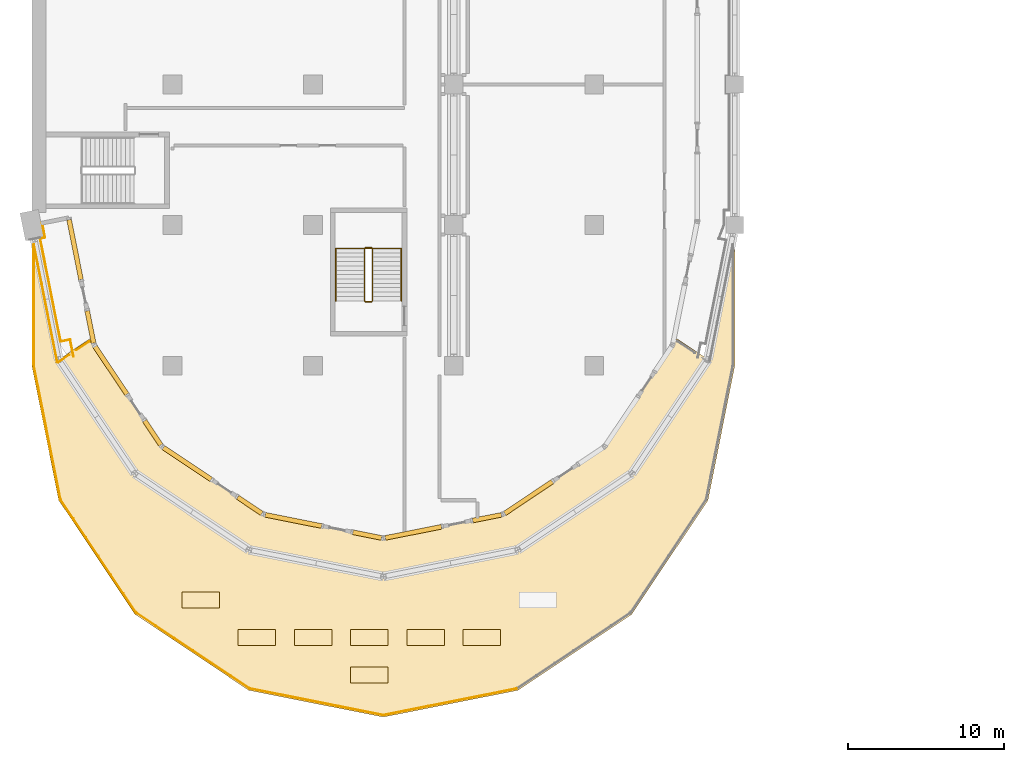
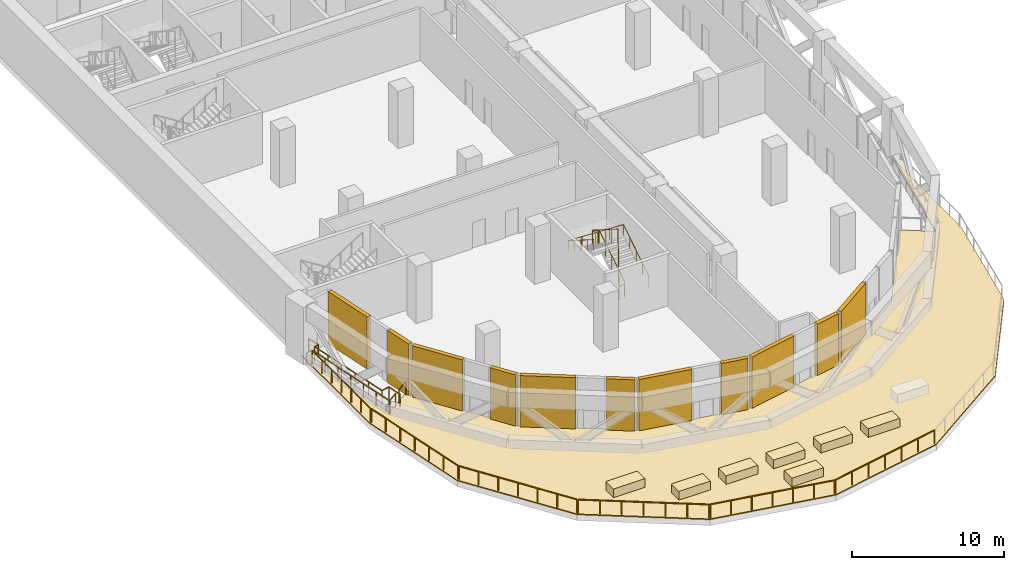
# One storey, part 16 of 20: 12 railings, 11 shading devices, 8 coverings.
"""IFC4 building model written with IfcOpenShell, lengths in metres."""

from ifc_helpers import new_model, si_unit, direction, frame, origin, origin_2d, place, context, subcontext, project, spatial, polyline, rectangle, circle, outline, extrude, material, layer, layer_set, type_object, element, save


model = new_model("IFC4")

# Units and contexts
model_context = context("Model", 3, precision=1e-05, world=origin(), true_north=direction((0.0, 1.0)))
body_context = subcontext(model_context, "Body", "Model", "MODEL_VIEW")
ifc_project = project(units=[si_unit("LENGTHUNIT", "METRE"), si_unit("AREAUNIT", "SQUARE_METRE"), si_unit("VOLUMEUNIT", "CUBIC_METRE"), si_unit("PLANEANGLEUNIT", "RADIAN"), si_unit("MASSUNIT", "GRAM", prefix="KILO")], contexts=[model_context])

# Site, building, storey
site_placement = place(None, origin())
site = spatial("IfcSite", under=ifc_project, at=site_placement, CompositionType="ELEMENT")
building_placement = place(site_placement, origin())
building = spatial("IfcBuilding", under=site, at=building_placement, Name="Hunhe Ridgeline Campus", CompositionType="ELEMENT")
storey_placement = place(building_placement, frame((0.0, 0.0, 178.199951171875)))
storey = spatial("IfcBuildingStorey", under=building, at=storey_placement, Name="L45", CompositionType="ELEMENT", Elevation=178.199951171875)

# Railings
ifc_material_1 = material(Name="Steel Q355", Category="steel")
railing_type_1 = type_object("IfcRailingType", Name="Loggia guard 1100 Steel Q355", PredefinedType="GUARDRAIL", material=ifc_material_1)
railing_1_placement = place(storey_placement, frame((0.6572265625, 36.130615234375, 0.0)))
element("IfcRailing", 1, at=railing_1_placement, inside=storey, type_object=railing_type_1, Name="Loggia guard 1", PredefinedType="GUARDRAIL", context=body_context, shape_type="SweptSolid", body=[
    extrude(circle(Radius=0.02392578125, at=origin_2d()), frame((0.0, 0.0, 1.076171875), z_axis=(0.195078060519, -0.980787719287, 0.0), x_axis=(0.980787719287, 0.195078060519, 0.0)), (0.0, 0.0, 1.0), 0.949951171875),
    extrude(circle(Radius=0.02392578125, at=origin_2d()), frame((0.185302734375, -0.931640625, 1.076171875), z_axis=(-0.980756274917, -0.195236085831, 0.0), x_axis=(0.195236085831, -0.980756274917, 0.0)), (0.0, 0.0, 1.0), 0.320068359375),
    extrude(circle(Radius=0.02392578125, at=origin_2d()), frame((-0.128662109375, -0.994140625, 1.076171875), z_axis=(0.195081688297, -0.980786997717, 0.0), x_axis=(0.980786997717, 0.195081688297, 0.0)), (0.0, 0.0, 1.0), 6.718017578125),
    extrude(circle(Radius=0.02392578125, at=origin_2d()), frame((1.181884765625, -7.5830078125, 1.076171875), z_axis=(0.980747227858, 0.195281527671, 0.0), x_axis=(-0.195281527671, 0.980747227858, 0.0)), (0.0, 0.0, 1.0), 0.618896484375),
    extrude(circle(Radius=0.02392578125, at=origin_2d()), frame((1.788818359375, -7.462158203125, 1.076171875), z_axis=(0.195101986683, -0.980782960085, 0.0), x_axis=(0.980782960085, 0.195101986683, 0.0)), (0.0, 0.0, 1.0), 1.111083984375),
    extrude(circle(Radius=0.02099609375, at=origin_2d()), origin(), (0.0, 0.0, 1.0), 1.052001953125),
    extrude(circle(Radius=0.02099609375, at=origin_2d()), frame((0.185302734375, -0.931640625, 0.0)), (0.0, 0.0, 1.0), 1.052001953125),
    extrude(circle(Radius=0.02099609375, at=origin_2d()), frame((-0.128662109375, -0.994140625, 0.0)), (0.0, 0.0, 1.0), 1.052001953125),
    extrude(circle(Radius=0.02099609375, at=origin_2d()), frame((0.133544921875, -2.31201171875, 0.0)), (0.0, 0.0, 1.0), 1.052001953125),
    extrude(circle(Radius=0.02099609375, at=origin_2d()), frame((0.3955078125, -3.629638671875, 0.0)), (0.0, 0.0, 1.0), 1.052001953125),
    extrude(circle(Radius=0.02099609375, at=origin_2d()), frame((0.65771484375, -4.947509765625, 0.0)), (0.0, 0.0, 1.0), 1.052001953125),
    extrude(circle(Radius=0.02099609375, at=origin_2d()), frame((0.919677734375, -6.26513671875, 0.0)), (0.0, 0.0, 1.0), 1.052001953125),
    extrude(circle(Radius=0.02099609375, at=origin_2d()), frame((1.181884765625, -7.5830078125, 0.0)), (0.0, 0.0, 1.0), 1.052001953125),
    extrude(circle(Radius=0.02099609375, at=origin_2d()), frame((1.788818359375, -7.462158203125, 0.0)), (0.0, 0.0, 1.0), 1.052001953125),
    extrude(circle(Radius=0.02099609375, at=origin_2d()), frame((2.005615234375, -8.552001953125, 0.0)), (0.0, 0.0, 1.0), 1.052001953125),
])
railing_2_placement = place(storey_placement, frame((31.0244140625, 6.31787109375, 0.080078125)))
element("IfcRailing", 2, at=railing_2_placement, inside=storey, type_object=railing_type_1, Name="Terrace guard 15", PredefinedType="GUARDRAIL", context=body_context, shape_type="SweptSolid", body=[
    extrude(circle(Radius=0.02392578125, at=origin_2d()), frame((0.0, 0.0, 1.076171875), z_axis=(-0.980786356694, -0.195084911058, 0.0), x_axis=(0.195084911058, -0.980786356694, 0.0)), (0.0, 0.0, 1.0), 8.6513671875),
    extrude(circle(Radius=0.02099609375, at=origin_2d()), origin(), (0.0, 0.0, 1.0), 1.052001953125),
    extrude(circle(Radius=0.02099609375, at=origin_2d()), frame((-1.4140625, -0.28125, 0.0)), (0.0, 0.0, 1.0), 1.052001953125),
    extrude(circle(Radius=0.02099609375, at=origin_2d()), frame((-2.828369140625, -0.5625, 0.0)), (0.0, 0.0, 1.0), 1.052001953125),
    extrude(circle(Radius=0.02099609375, at=origin_2d()), frame((-4.24267578125, -0.84375, 0.0)), (0.0, 0.0, 1.0), 1.052001953125),
    extrude(circle(Radius=0.02099609375, at=origin_2d()), frame((-5.65673828125, -1.125244140625, 0.0)), (0.0, 0.0, 1.0), 1.052001953125),
    extrude(circle(Radius=0.02099609375, at=origin_2d()), frame((-7.07080078125, -1.406494140625, 0.0)), (0.0, 0.0, 1.0), 1.052001953125),
    extrude(circle(Radius=0.02099609375, at=origin_2d()), frame((-8.485107421875, -1.687744140625, 0.0)), (0.0, 0.0, 1.0), 1.052001953125),
])
railing_3_placement = place(storey_placement, frame((22.460693359375, 4.630126953125, 0.080078125)))
element("IfcRailing", 3, at=railing_3_placement, inside=storey, type_object=railing_type_1, Name="Terrace guard 16", PredefinedType="GUARDRAIL", context=body_context, shape_type="SweptSolid", body=[
    extrude(circle(Radius=0.02392578125, at=origin_2d()), frame((0.0, 0.0, 1.076171875), z_axis=(-0.980786356694, 0.195084911058, 0.0), x_axis=(-0.195084911058, -0.980786356694, 0.0)), (0.0, 0.0, 1.0), 8.6513671875),
    extrude(circle(Radius=0.02099609375, at=origin_2d()), origin(), (0.0, 0.0, 1.0), 1.052001953125),
    extrude(circle(Radius=0.02099609375, at=origin_2d()), frame((-1.4140625, 0.28125, 0.0)), (0.0, 0.0, 1.0), 1.052001953125),
    extrude(circle(Radius=0.02099609375, at=origin_2d()), frame((-2.828369140625, 0.5625, 0.0)), (0.0, 0.0, 1.0), 1.052001953125),
    extrude(circle(Radius=0.02099609375, at=origin_2d()), frame((-4.24267578125, 0.84375, 0.0)), (0.0, 0.0, 1.0), 1.052001953125),
    extrude(circle(Radius=0.02099609375, at=origin_2d()), frame((-5.65673828125, 1.125244140625, 0.0)), (0.0, 0.0, 1.0), 1.052001953125),
    extrude(circle(Radius=0.02099609375, at=origin_2d()), frame((-7.07080078125, 1.406494140625, 0.0)), (0.0, 0.0, 1.0), 1.052001953125),
    extrude(circle(Radius=0.02099609375, at=origin_2d()), frame((-8.485107421875, 1.687744140625, 0.0)), (0.0, 0.0, 1.0), 1.052001953125),
])
railing_4_placement = place(storey_placement, frame((13.903076171875, 6.347900390625, 0.080078125)))
element("IfcRailing", 4, at=railing_4_placement, inside=storey, type_object=railing_type_1, Name="Terrace guard 17", PredefinedType="GUARDRAIL", context=body_context, shape_type="SweptSolid", body=[
    extrude(circle(Radius=0.02392578125, at=origin_2d()), frame((0.0, 0.0, 1.076171875), z_axis=(-0.831463709573, 0.555579066977, 0.0), x_axis=(-0.555579066977, -0.831463709573, 0.0)), (0.0, 0.0, 1.0), 8.651123046875),
    extrude(circle(Radius=0.02099609375, at=origin_2d()), origin(), (0.0, 0.0, 1.0), 1.052001953125),
    extrude(circle(Radius=0.02099609375, at=origin_2d()), frame((-1.19873046875, 0.801025390625, 0.0)), (0.0, 0.0, 1.0), 1.052001953125),
    extrude(circle(Radius=0.02099609375, at=origin_2d()), frame((-2.397705078125, 1.60205078125, 0.0)), (0.0, 0.0, 1.0), 1.052001953125),
    extrude(circle(Radius=0.02099609375, at=origin_2d()), frame((-3.5966796875, 2.4033203125, 0.0)), (0.0, 0.0, 1.0), 1.052001953125),
    extrude(circle(Radius=0.02099609375, at=origin_2d()), frame((-4.79541015625, 3.204345703125, 0.0)), (0.0, 0.0, 1.0), 1.052001953125),
    extrude(circle(Radius=0.02099609375, at=origin_2d()), frame((-5.994140625, 4.00537109375, 0.0)), (0.0, 0.0, 1.0), 1.052001953125),
    extrude(circle(Radius=0.02099609375, at=origin_2d()), frame((-7.193115234375, 4.806396484375, 0.0)), (0.0, 0.0, 1.0), 1.052001953125),
])
railing_5_placement = place(storey_placement, frame((6.654296875, 11.2099609375, 0.080078125)))
element("IfcRailing", 5, at=railing_5_placement, inside=storey, type_object=railing_type_1, Name="Terrace guard 18", PredefinedType="GUARDRAIL", context=body_context, shape_type="SweptSolid", body=[
    extrude(circle(Radius=0.02392578125, at=origin_2d()), frame((0.0, 0.0, 1.076171875), z_axis=(-0.555579066977, 0.831463709573, 0.0), x_axis=(-0.831463709573, -0.555579066977, 0.0)), (0.0, 0.0, 1.0), 8.651123046875),
    extrude(circle(Radius=0.02099609375, at=origin_2d()), origin(), (0.0, 0.0, 1.0), 1.052001953125),
    extrude(circle(Radius=0.02099609375, at=origin_2d()), frame((-0.801025390625, 1.19873046875, 0.0)), (0.0, 0.0, 1.0), 1.052001953125),
    extrude(circle(Radius=0.02099609375, at=origin_2d()), frame((-1.60205078125, 2.397705078125, 0.0)), (0.0, 0.0, 1.0), 1.052001953125),
    extrude(circle(Radius=0.02099609375, at=origin_2d()), frame((-2.4033203125, 3.5966796875, 0.0)), (0.0, 0.0, 1.0), 1.052001953125),
    extrude(circle(Radius=0.02099609375, at=origin_2d()), frame((-3.204345703125, 4.79541015625, 0.0)), (0.0, 0.0, 1.0), 1.052001953125),
    extrude(circle(Radius=0.02099609375, at=origin_2d()), frame((-4.00537109375, 5.994140625, 0.0)), (0.0, 0.0, 1.0), 1.052001953125),
    extrude(circle(Radius=0.02099609375, at=origin_2d()), frame((-4.806396484375, 7.193115234375, 0.0)), (0.0, 0.0, 1.0), 1.052001953125),
])
railing_6_placement = place(storey_placement, frame((1.81787109375, 18.4755859375, 0.080078125)))
element("IfcRailing", 6, at=railing_6_placement, inside=storey, type_object=railing_type_1, Name="Terrace guard 19", PredefinedType="GUARDRAIL", context=body_context, shape_type="SweptSolid", body=[
    extrude(circle(Radius=0.02392578125, at=origin_2d()), frame((0.0, 0.0, 1.076171875), z_axis=(-0.195091784902, 0.980784989416, 0.0), x_axis=(-0.980784989416, -0.195091784902, 0.0)), (0.0, 0.0, 1.0), 8.66357421875),
    extrude(circle(Radius=0.02099609375, at=origin_2d()), origin(), (0.0, 0.0, 1.0), 1.052001953125),
    extrude(circle(Radius=0.02099609375, at=origin_2d()), frame((-0.28173828125, 1.416259765625, 0.0)), (0.0, 0.0, 1.0), 1.052001953125),
    extrude(circle(Radius=0.02099609375, at=origin_2d()), frame((-0.5634765625, 2.832275390625, 0.0)), (0.0, 0.0, 1.0), 1.052001953125),
    extrude(circle(Radius=0.02099609375, at=origin_2d()), frame((-0.84521484375, 4.24853515625, 0.0)), (0.0, 0.0, 1.0), 1.052001953125),
    extrude(circle(Radius=0.02099609375, at=origin_2d()), frame((-1.126708984375, 5.664794921875, 0.0)), (0.0, 0.0, 1.0), 1.052001953125),
    extrude(circle(Radius=0.02099609375, at=origin_2d()), frame((-1.408447265625, 7.080810546875, 0.0)), (0.0, 0.0, 1.0), 1.052001953125),
    extrude(circle(Radius=0.02099609375, at=origin_2d()), frame((-1.690185546875, 8.4970703125, 0.0)), (0.0, 0.0, 1.0), 1.052001953125),
])
railing_7_placement = place(storey_placement, frame((0.1201171875, 27.0517578125, 0.080078125)))
element("IfcRailing", 7, at=railing_7_placement, inside=storey, type_object=railing_type_1, Name="Terrace guard 20", PredefinedType="GUARDRAIL", context=body_context, shape_type="SweptSolid", body=[
    extrude(circle(Radius=0.02392578125, at=origin_2d()), frame((0.0, 0.0, 1.076171875), z_axis=(0.0, 1.0, 0.0), x_axis=(-1.0, 0.0, 0.0)), (0.0, 0.0, 1.0), 7.68994140625),
    extrude(circle(Radius=0.02099609375, at=origin_2d()), origin(), (0.0, 0.0, 1.0), 1.052001953125),
    extrude(circle(Radius=0.02099609375, at=origin_2d()), frame((0.0, 1.28173828125, 0.0)), (0.0, 0.0, 1.0), 1.052001953125),
    extrude(circle(Radius=0.02099609375, at=origin_2d()), frame((0.0, 2.563232421875, 0.0)), (0.0, 0.0, 1.0), 1.052001953125),
    extrude(circle(Radius=0.02099609375, at=origin_2d()), frame((0.0, 3.844970703125, 0.0)), (0.0, 0.0, 1.0), 1.052001953125),
    extrude(circle(Radius=0.02099609375, at=origin_2d()), frame((0.0, 5.126708984375, 0.0)), (0.0, 0.0, 1.0), 1.052001953125),
    extrude(circle(Radius=0.02099609375, at=origin_2d()), frame((0.0, 6.408203125, 0.0)), (0.0, 0.0, 1.0), 1.052001953125),
    extrude(circle(Radius=0.02099609375, at=origin_2d()), frame((0.0, 7.68994140625, 0.0)), (0.0, 0.0, 1.0), 1.052001953125),
])
railing_8_placement = place(storey_placement, frame((0.127685546875, 34.74267578125, 0.080078125)))
element("IfcRailing", 8, at=railing_8_placement, inside=storey, type_object=railing_type_1, Name="Terrace guard 21", PredefinedType="GUARDRAIL", context=body_context, shape_type="SweptSolid", body=[
    extrude(circle(Radius=0.02392578125, at=origin_2d()), frame((0.0, 0.0, 1.076171875), z_axis=(0.195129185157, -0.980777549243, 0.0), x_axis=(0.980777549243, 0.195129185157, 0.0)), (0.0, 0.0, 1.0), 7.65966796875),
    extrude(circle(Radius=0.02099609375, at=origin_2d()), origin(), (0.0, 0.0, 1.0), 1.052001953125),
    extrude(circle(Radius=0.02099609375, at=origin_2d()), frame((0.2490234375, -1.251953125, 0.0)), (0.0, 0.0, 1.0), 1.052001953125),
    extrude(circle(Radius=0.02099609375, at=origin_2d()), frame((0.498291015625, -2.504150390625, 0.0)), (0.0, 0.0, 1.0), 1.052001953125),
    extrude(circle(Radius=0.02099609375, at=origin_2d()), frame((0.747314453125, -3.75634765625, 0.0)), (0.0, 0.0, 1.0), 1.052001953125),
    extrude(circle(Radius=0.02099609375, at=origin_2d()), frame((0.996337890625, -5.00830078125, 0.0)), (0.0, 0.0, 1.0), 1.052001953125),
    extrude(circle(Radius=0.02099609375, at=origin_2d()), frame((1.24560546875, -6.26025390625, 0.0)), (0.0, 0.0, 1.0), 1.052001953125),
    extrude(circle(Radius=0.02099609375, at=origin_2d()), frame((1.49462890625, -7.512451171875, 0.0)), (0.0, 0.0, 1.0), 1.052001953125),
])
railing_9_placement = place(storey_placement, frame((1.663330078125, 27.213134765625, 0.080078125)))
element("IfcRailing", 9, at=railing_9_placement, inside=storey, type_object=railing_type_1, Name="Terrace guard 22", PredefinedType="GUARDRAIL", context=body_context, shape_type="SweptSolid", body=[
    extrude(circle(Radius=0.02392578125, at=origin_2d()), frame((0.0, 0.0, 1.076171875), z_axis=(0.831530425848, 0.555479208333, 0.0), x_axis=(-0.555479208333, 0.831530425848, 0.0)), (0.0, 0.0, 1.0), 0.86767578125),
    extrude(circle(Radius=0.02099609375, at=origin_2d()), origin(), (0.0, 0.0, 1.0), 1.052001953125),
    extrude(circle(Radius=0.02099609375, at=origin_2d()), frame((0.721435546875, 0.48193359375, 0.0)), (0.0, 0.0, 1.0), 1.052001953125),
])
railing_10_placement = place(storey_placement, frame((2.834716796875, 27.99560546875, 0.080078125)))
element("IfcRailing", 10, at=railing_10_placement, inside=storey, type_object=railing_type_1, Name="Terrace guard 23", PredefinedType="GUARDRAIL", context=body_context, shape_type="SweptSolid", body=[
    extrude(circle(Radius=0.02392578125, at=origin_2d()), frame((0.0, 0.0, 1.076171875), z_axis=(0.831640585008, 0.555314269012, 0.0), x_axis=(-0.555314269012, 0.831640585008, 0.0)), (0.0, 0.0, 1.0), 1.009033203125),
    extrude(circle(Radius=0.02099609375, at=origin_2d()), origin(), (0.0, 0.0, 1.0), 1.052001953125),
    extrude(circle(Radius=0.02099609375, at=origin_2d()), frame((0.839111328125, 0.560302734375, 0.0)), (0.0, 0.0, 1.0), 1.052001953125),
])

# Shading devices
ifc_material_2 = material(Name="Aluminium 6063", Category="aluminium")
ifc_layer_1 = layer(ifc_material_2, 0.300048828125)
ifc_layer_set_1 = layer_set([ifc_layer_1], Name="Louvre bank 300 Aluminium 6063")
shading_device_type = type_object("IfcShadingDeviceType", Name="Louvre bank 300 Aluminium 6063", PredefinedType="USERDEFINED", material=ifc_layer_set_1)
shading_device_1_placement = place(storey_placement, frame((2.759765625, 34.43310546875, 0.0), z_axis=(0.0, 0.0, 1.0), x_axis=(0.195095347137, -0.980784280831, 0.0)))
element("IfcShadingDevice", 11, at=shading_device_1_placement, inside=storey, type_object=shading_device_type, Name="Louvre bank 1", ObjectType="LOUVRE", PredefinedType="USERDEFINED", context=body_context, shape_type="SweptSolid", body=[
    extrude(rectangle(XDim=3.910888671875, YDim=0.300048828125, at=origin_2d()), origin(), (0.0, 0.0, 1.0), 4.199951171875),
])
shading_device_2_placement = place(storey_placement, frame((3.7451171875, 29.479248046875, 0.0), z_axis=(0.0, 0.0, 1.0), x_axis=(0.195095217605, -0.980784306597, 0.0)))
element("IfcShadingDevice", 12, at=shading_device_2_placement, inside=storey, type_object=shading_device_type, Name="Louvre bank 2", ObjectType="LOUVRE", PredefinedType="USERDEFINED", context=body_context, shape_type="SweptSolid", body=[
    extrude(rectangle(XDim=2.11083984375, YDim=0.300048828125, at=origin_2d()), origin(), (0.0, 0.0, 1.0), 4.199951171875),
])
shading_device_3_placement = place(storey_placement, frame((5.06103515625, 26.7001953125, 0.0), z_axis=(0.0, 0.0, 1.0), x_axis=(0.555570362959, -0.83146952548, 0.0)))
element("IfcShadingDevice", 13, at=shading_device_3_placement, inside=storey, type_object=shading_device_type, Name="Louvre bank 3", ObjectType="LOUVRE", PredefinedType="USERDEFINED", context=body_context, shape_type="SweptSolid", body=[
    extrude(rectangle(XDim=3.671875, YDim=0.300048828125, at=origin_2d()), origin(), (0.0, 0.0, 1.0), 4.199951171875),
])
shading_device_4_placement = place(storey_placement, frame((7.734375, 22.69921875, 0.0), z_axis=(0.0, 0.0, 1.0), x_axis=(0.555570217564, -0.831469622629, 0.0)))
element("IfcShadingDevice", 14, at=shading_device_4_placement, inside=storey, type_object=shading_device_type, Name="Louvre bank 4", ObjectType="LOUVRE", PredefinedType="USERDEFINED", context=body_context, shape_type="SweptSolid", body=[
    extrude(rectangle(XDim=1.871826171875, YDim=0.300048828125, at=origin_2d()), origin(), (0.0, 0.0, 1.0), 4.199951171875),
])
shading_device_5_placement = place(storey_placement, frame((9.947509765625, 20.734375, 0.0), z_axis=(0.0, 0.0, 1.0), x_axis=(0.83146952548, -0.555570362959, 0.0)))
element("IfcShadingDevice", 15, at=shading_device_5_placement, inside=storey, type_object=shading_device_type, Name="Louvre bank 5", ObjectType="LOUVRE", PredefinedType="USERDEFINED", context=body_context, shape_type="SweptSolid", body=[
    extrude(rectangle(XDim=3.671875, YDim=0.300048828125, at=origin_2d()), origin(), (0.0, 0.0, 1.0), 4.199951171875),
])
shading_device_6_placement = place(storey_placement, frame((13.948486328125, 18.06103515625, 0.0), z_axis=(0.0, 0.0, 1.0), x_axis=(0.831469622629, -0.555570217564, 0.0)))
element("IfcShadingDevice", 16, at=shading_device_6_placement, inside=storey, type_object=shading_device_type, Name="Louvre bank 6", ObjectType="LOUVRE", PredefinedType="USERDEFINED", context=body_context, shape_type="SweptSolid", body=[
    extrude(rectangle(XDim=1.871826171875, YDim=0.300048828125, at=origin_2d()), origin(), (0.0, 0.0, 1.0), 4.199951171875),
])
shading_device_7_placement = place(storey_placement, frame((16.744873046875, 17.0927734375, 0.0), z_axis=(0.0, 0.0, 1.0), x_axis=(0.980785250869, -0.195090470497, 0.0)))
element("IfcShadingDevice", 17, at=shading_device_7_placement, inside=storey, type_object=shading_device_type, Name="Louvre bank 7", ObjectType="LOUVRE", PredefinedType="USERDEFINED", context=body_context, shape_type="SweptSolid", body=[
    extrude(rectangle(XDim=3.671875, YDim=0.300048828125, at=origin_2d()), origin(), (0.0, 0.0, 1.0), 4.199951171875),
])
shading_device_8_placement = place(storey_placement, frame((21.46435546875, 16.154052734375, 0.0), z_axis=(0.0, 0.0, 1.0), x_axis=(0.980785272878, -0.195090359847, 0.0)))
element("IfcShadingDevice", 18, at=shading_device_8_placement, inside=storey, type_object=shading_device_type, Name="Louvre bank 8", ObjectType="LOUVRE", PredefinedType="USERDEFINED", context=body_context, shape_type="SweptSolid", body=[
    extrude(rectangle(XDim=1.871826171875, YDim=0.300048828125, at=origin_2d()), origin(), (0.0, 0.0, 1.0), 4.199951171875),
])
shading_device_9_placement = place(storey_placement, frame((24.41845703125, 16.32958984375, 0.0), z_axis=(0.0, 0.0, 1.0), x_axis=(0.980785299781, 0.195090224598, 0.0)))
element("IfcShadingDevice", 19, at=shading_device_9_placement, inside=storey, type_object=shading_device_type, Name="Louvre bank 9", ObjectType="LOUVRE", PredefinedType="USERDEFINED", context=body_context, shape_type="SweptSolid", body=[
    extrude(rectangle(XDim=3.671875, YDim=0.300048828125, at=origin_2d()), origin(), (0.0, 0.0, 1.0), 4.199951171875),
])
shading_device_10_placement = place(storey_placement, frame((29.137939453125, 17.268310546875, 0.0), z_axis=(0.0, 0.0, 1.0), x_axis=(0.980785272878, 0.195090359847, 0.0)))
element("IfcShadingDevice", 20, at=shading_device_10_placement, inside=storey, type_object=shading_device_type, Name="Louvre bank 10", ObjectType="LOUVRE", PredefinedType="USERDEFINED", context=body_context, shape_type="SweptSolid", body=[
    extrude(rectangle(XDim=1.871826171875, YDim=0.300048828125, at=origin_2d()), origin(), (0.0, 0.0, 1.0), 4.199951171875),
])
shading_device_11_placement = place(storey_placement, frame((31.7998046875, 18.56103515625, 0.0), z_axis=(0.0, 0.0, 1.0), x_axis=(0.831469643564, 0.555570186233, 0.0)))
element("IfcShadingDevice", 21, at=shading_device_11_placement, inside=storey, type_object=shading_device_type, Name="Louvre bank 11", ObjectType="LOUVRE", PredefinedType="USERDEFINED", context=body_context, shape_type="SweptSolid", body=[
    extrude(rectangle(XDim=3.671875, YDim=0.300048828125, at=origin_2d()), origin(), (0.0, 0.0, 1.0), 4.199951171875),
])

# Coverings
ifc_material_3 = material(Name="Planting soil")
covering_type_1 = type_object("IfcCoveringType", Name="Planter box 700 planting soil", PredefinedType="USERDEFINED", material=ifc_material_3)
covering_1_placement = place(storey_placement, frame((0.0, 0.0, 0.080078125)))
element("IfcCovering", 22, at=covering_1_placement, inside=storey, type_object=covering_type_1, Name="Planter 1", ObjectType="PLANTER", PredefinedType="USERDEFINED", context=body_context, shape_type="SweptSolid", body=[
    extrude(outline(polyline([(9.60009765625, 11.5), (12.0, 11.5), (12.0, 12.5), (9.60009765625, 12.5), (9.60009765625, 11.5)])), origin(), (0.0, 0.0, 1.0), 0.699951171875),
])
covering_2_placement = place(storey_placement, frame((0.0, 0.0, 0.080078125)))
element("IfcCovering", 23, at=covering_2_placement, inside=storey, type_object=covering_type_1, Name="Planter 2", ObjectType="PLANTER", PredefinedType="USERDEFINED", context=body_context, shape_type="SweptSolid", body=[
    extrude(outline(polyline([(13.199951171875, 9.10009765625), (15.60009765625, 9.10009765625), (15.60009765625, 10.10009765625), (13.199951171875, 10.10009765625), (13.199951171875, 9.10009765625)])), origin(), (0.0, 0.0, 1.0), 0.699951171875),
])
covering_3_placement = place(storey_placement, frame((0.0, 0.0, 0.080078125)))
element("IfcCovering", 24, at=covering_3_placement, inside=storey, type_object=covering_type_1, Name="Planter 3", ObjectType="PLANTER", PredefinedType="USERDEFINED", context=body_context, shape_type="SweptSolid", body=[
    extrude(outline(polyline([(16.800048828125, 9.10009765625), (19.199951171875, 9.10009765625), (19.199951171875, 10.10009765625), (16.800048828125, 10.10009765625), (16.800048828125, 9.10009765625)])), origin(), (0.0, 0.0, 1.0), 0.699951171875),
])
covering_4_placement = place(storey_placement, frame((0.0, 0.0, 0.080078125)))
element("IfcCovering", 25, at=covering_4_placement, inside=storey, type_object=covering_type_1, Name="Planter 4", ObjectType="PLANTER", PredefinedType="USERDEFINED", context=body_context, shape_type="SweptSolid", body=[
    extrude(outline(polyline([(20.39990234375, 6.699951171875), (22.800048828125, 6.699951171875), (22.800048828125, 7.699951171875), (20.39990234375, 7.699951171875), (20.39990234375, 6.699951171875)])), origin(), (0.0, 0.0, 1.0), 0.699951171875),
])
covering_5_placement = place(storey_placement, frame((0.0, 0.0, 0.080078125)))
element("IfcCovering", 26, at=covering_5_placement, inside=storey, type_object=covering_type_1, Name="Planter 5", ObjectType="PLANTER", PredefinedType="USERDEFINED", context=body_context, shape_type="SweptSolid", body=[
    extrude(outline(polyline([(20.39990234375, 9.10009765625), (22.800048828125, 9.10009765625), (22.800048828125, 10.10009765625), (20.39990234375, 10.10009765625), (20.39990234375, 9.10009765625)])), origin(), (0.0, 0.0, 1.0), 0.699951171875),
])
covering_6_placement = place(storey_placement, frame((0.0, 0.0, 0.080078125)))
element("IfcCovering", 27, at=covering_6_placement, inside=storey, type_object=covering_type_1, Name="Planter 6", ObjectType="PLANTER", PredefinedType="USERDEFINED", context=body_context, shape_type="SweptSolid", body=[
    extrude(outline(polyline([(24.0, 9.10009765625), (26.39990234375, 9.10009765625), (26.39990234375, 10.10009765625), (24.0, 10.10009765625), (24.0, 9.10009765625)])), origin(), (0.0, 0.0, 1.0), 0.699951171875),
])
covering_7_placement = place(storey_placement, frame((0.0, 0.0, 0.080078125)))
element("IfcCovering", 28, at=covering_7_placement, inside=storey, type_object=covering_type_1, Name="Planter 7", ObjectType="PLANTER", PredefinedType="USERDEFINED", context=body_context, shape_type="SweptSolid", body=[
    extrude(outline(polyline([(27.60009765625, 9.10009765625), (30.0, 9.10009765625), (30.0, 10.10009765625), (27.60009765625, 10.10009765625), (27.60009765625, 9.10009765625)])), origin(), (0.0, 0.0, 1.0), 0.699951171875),
])

# Railings
ifc_material_4 = material(Name="Stainless steel balustrade", Category="steel")
railing_type_2 = type_object("IfcRailingType", Name="Stair guard 1100 stainless", PredefinedType="GUARDRAIL", material=ifc_material_4)
railing_11_placement = place(storey_placement, frame((21.800048828125, 31.14990234375, 0.177001953125)))
element("IfcRailing", 29, at=railing_11_placement, inside=storey, type_object=railing_type_2, Name="L45 stair W3 guard", PredefinedType="GUARDRAIL", context=body_context, shape_type="SweptSolid", body=[
    extrude(circle(Radius=0.02392578125, at=origin_2d()), frame((0.0, 0.0, 1.076171875), z_axis=(0.0, 0.845389635667, 0.534150132366), x_axis=(-1.0, 0.0, 0.0)), (0.0, 0.0, 1.0), 3.974609375),
    extrude(circle(Radius=0.02392578125, at=origin_2d()), frame((0.0, 3.360107421875, 3.19921875), z_axis=(-0.707106781187, 0.707106781187, 0.0), x_axis=(-0.707106781187, -0.707106781187, 0.0)), (0.0, 0.0, 1.0), 0.07080078125),
    extrude(circle(Radius=0.02392578125, at=origin_2d()), frame((-0.050048828125, 3.41015625, 3.19921875), z_axis=(-1.0, 0.0, 0.0), x_axis=(0.0, -1.0, 0.0)), (0.0, 0.0, 1.0), 0.39990234375),
    extrude(circle(Radius=0.02392578125, at=origin_2d()), frame((-0.449951171875, 3.41015625, 3.19921875), z_axis=(-0.262545553595, -0.262545553595, 0.928514762713), x_axis=(0.707106781187, -0.707106781187, 0.0)), (0.0, 0.0, 1.0), 0.190673828125),
    extrude(circle(Radius=0.02392578125, at=origin_2d()), frame((-0.5, 3.360107421875, 3.3759765625), z_axis=(0.0, -0.845389635667, 0.534150132366), x_axis=(1.0, 0.0, 0.0)), (0.0, 0.0, 1.0), 3.974609375),
    extrude(circle(Radius=0.02392578125, at=origin_2d()), frame((-0.5, 0.0, 5.4990234375), z_axis=(0.010878667648, -0.010825600977, -0.999882223541), x_axis=(0.705375805398, 0.708833529934, 0.0)), (0.0, 0.0, 1.0), 4.6005859375),
    extrude(circle(Radius=0.02392578125, at=origin_2d()), frame((-0.449951171875, -0.0498046875, 0.89892578125), z_axis=(1.0, 0.0, 0.0), x_axis=(0.0, 1.0, 0.0)), (0.0, 0.0, 1.0), 0.39990234375),
    extrude(circle(Radius=0.02099609375, at=origin_2d()), origin(), (0.0, 0.0, 1.0), 1.052001953125),
    extrude(circle(Radius=0.02099609375, at=origin_2d()), frame((0.0, 0.840087890625, 0.53076171875)), (0.0, 0.0, 1.0), 1.052001953125),
    extrude(circle(Radius=0.02099609375, at=origin_2d()), frame((0.0, 1.68017578125, 1.0615234375)), (0.0, 0.0, 1.0), 1.052001953125),
    extrude(circle(Radius=0.02099609375, at=origin_2d()), frame((0.0, 2.52001953125, 1.59228515625)), (0.0, 0.0, 1.0), 1.052001953125),
    extrude(circle(Radius=0.02099609375, at=origin_2d()), frame((0.0, 3.360107421875, 2.123046875)), (0.0, 0.0, 1.0), 1.052001953125),
    extrude(circle(Radius=0.02099609375, at=origin_2d()), frame((-0.050048828125, 3.41015625, 2.123046875)), (0.0, 0.0, 1.0), 1.052001953125),
    extrude(circle(Radius=0.02099609375, at=origin_2d()), frame((-0.449951171875, 3.41015625, 2.123046875)), (0.0, 0.0, 1.0), 1.052001953125),
    extrude(circle(Radius=0.02099609375, at=origin_2d()), frame((-0.5, 3.360107421875, 2.300048828125)), (0.0, 0.0, 1.0), 1.052001953125),
    extrude(circle(Radius=0.02099609375, at=origin_2d()), frame((-0.5, 2.52001953125, 2.830810546875)), (0.0, 0.0, 1.0), 1.052001953125),
    extrude(circle(Radius=0.02099609375, at=origin_2d()), frame((-0.5, 1.68017578125, 3.361572265625)), (0.0, 0.0, 1.0), 1.052001953125),
    extrude(circle(Radius=0.02099609375, at=origin_2d()), frame((-0.5, 0.840087890625, 3.892333984375)), (0.0, 0.0, 1.0), 1.052001953125),
    extrude(circle(Radius=0.02099609375, at=origin_2d()), frame((-0.5, 0.0, 4.423095703125)), (0.0, 0.0, 1.0), 1.052001953125),
    extrude(circle(Radius=0.02099609375, at=origin_2d()), frame((-0.487548828125, -0.012451171875, 3.27294921875)), (0.0, 0.0, 1.0), 1.052001953125),
    extrude(circle(Radius=0.02099609375, at=origin_2d()), frame((-0.47509765625, -0.02490234375, 2.123046875)), (0.0, 0.0, 1.0), 1.052001953125),
    extrude(circle(Radius=0.02099609375, at=origin_2d()), frame((-0.46240234375, -0.037353515625, 0.97314453125)), (0.0, 0.0, 1.0), 1.052001953125),
    extrude(circle(Radius=0.02099609375, at=origin_2d()), frame((-0.449951171875, -0.0498046875, -0.177001953125)), (0.0, 0.0, 1.0), 1.052001953125),
    extrude(circle(Radius=0.02099609375, at=origin_2d()), frame((-0.050048828125, -0.0498046875, -0.177001953125)), (0.0, 0.0, 1.0), 1.052001953125),
])
ifc_material_5 = material(Name="Stainless steel handrail", Category="steel")
railing_type_3 = type_object("IfcRailingType", Name="Stair handrail 900 stainless", PredefinedType="HANDRAIL", material=ifc_material_5)
railing_12_placement = place(storey_placement, frame((23.64990234375, 31.14990234375, 0.177001953125)))
element("IfcRailing", 30, at=railing_12_placement, inside=storey, type_object=railing_type_3, Name="L45 stair W3 handrail", PredefinedType="HANDRAIL", context=body_context, shape_type="SweptSolid", body=[
    extrude(circle(Radius=0.02392578125, at=origin_2d()), frame((0.0, 0.0, 0.8759765625), z_axis=(0.0, 0.845389635667, 0.534150132366), x_axis=(-1.0, 0.0, 0.0)), (0.0, 0.0, 1.0), 3.974609375),
    extrude(circle(Radius=0.02392578125, at=origin_2d()), frame((0.0, 3.360107421875, 2.9990234375), z_axis=(-0.999113130752, 0.0, 0.042106436075), x_axis=(0.0, -1.0, 0.0)), (0.0, 0.0, 1.0), 4.20361328125),
    extrude(circle(Radius=0.02392578125, at=origin_2d()), frame((-4.199951171875, 3.360107421875, 3.17578125), z_axis=(0.0, -0.845389635667, 0.534150132366), x_axis=(1.0, 0.0, 0.0)), (0.0, 0.0, 1.0), 3.974609375),
    extrude(circle(Radius=0.02099609375, at=origin_2d()), origin(), (0.0, 0.0, 1.0), 0.851806640625),
    extrude(circle(Radius=0.02099609375, at=origin_2d()), frame((0.0, 0.840087890625, 0.53076171875)), (0.0, 0.0, 1.0), 0.851806640625),
    extrude(circle(Radius=0.02099609375, at=origin_2d()), frame((0.0, 1.68017578125, 1.0615234375)), (0.0, 0.0, 1.0), 0.851806640625),
    extrude(circle(Radius=0.02099609375, at=origin_2d()), frame((0.0, 2.52001953125, 1.59228515625)), (0.0, 0.0, 1.0), 0.851806640625),
    extrude(circle(Radius=0.02099609375, at=origin_2d()), frame((0.0, 3.360107421875, 2.123046875)), (0.0, 0.0, 1.0), 0.851806640625),
    extrude(circle(Radius=0.02099609375, at=origin_2d()), frame((-1.050048828125, 3.360107421875, 2.167236328125)), (0.0, 0.0, 1.0), 0.851806640625),
    extrude(circle(Radius=0.02099609375, at=origin_2d()), frame((-2.10009765625, 3.360107421875, 2.21142578125)), (0.0, 0.0, 1.0), 0.851806640625),
    extrude(circle(Radius=0.02099609375, at=origin_2d()), frame((-3.14990234375, 3.360107421875, 2.255859375)), (0.0, 0.0, 1.0), 0.851806640625),
    extrude(circle(Radius=0.02099609375, at=origin_2d()), frame((-4.199951171875, 3.360107421875, 2.300048828125)), (0.0, 0.0, 1.0), 0.851806640625),
    extrude(circle(Radius=0.02099609375, at=origin_2d()), frame((-4.199951171875, 2.52001953125, 2.830810546875)), (0.0, 0.0, 1.0), 0.851806640625),
    extrude(circle(Radius=0.02099609375, at=origin_2d()), frame((-4.199951171875, 1.68017578125, 3.361572265625)), (0.0, 0.0, 1.0), 0.851806640625),
    extrude(circle(Radius=0.02099609375, at=origin_2d()), frame((-4.199951171875, 0.840087890625, 3.892333984375)), (0.0, 0.0, 1.0), 0.851806640625),
    extrude(circle(Radius=0.02099609375, at=origin_2d()), frame((-4.199951171875, 0.0, 4.423095703125)), (0.0, 0.0, 1.0), 0.851806640625),
])

# Covering
ifc_material_6 = material(Name="Precast concrete C30 paving", Category="concrete")
ifc_layer_2 = layer(ifc_material_6, 0.080078125)
ifc_layer_set_2 = layer_set([ifc_layer_2], Name="Terrace paving 80 Concrete C30 pavers")
covering_type_2 = type_object("IfcCoveringType", Name="Terrace paving 80 Concrete C30 pavers", PredefinedType="FLOORING", material=ifc_layer_set_2)
covering_8_placement = place(storey_placement, origin())
element("IfcCovering", 31, at=covering_8_placement, inside=storey, type_object=covering_type_2, Name="Terrace paving 2", PredefinedType="FLOORING", context=body_context, shape_type="SweptSolid", body=[
    extrude(outline(polyline([(0.0, 27.0), (1.712646484375, 18.3896484375), (6.590087890625, 11.090087890625), (13.8896484375, 6.212646484375), (22.5, 4.5), (31.1103515625, 6.212646484375), (38.409912109375, 11.090087890625), (43.287353515625, 18.3896484375), (45.0, 27.0), (45.0, 36.0), (43.287353515625, 27.390625), (41.291748046875, 28.722900390625), (36.6796875, 21.8203125), (30.174072265625, 17.4736328125), (22.5, 15.947021484375), (14.825927734375, 17.4736328125), (8.3203125, 21.8203125), (3.708251953125, 28.722900390625), (1.712646484375, 27.390625), (0.0, 36.0), (0.0, 27.0)])), origin(), (0.0, 0.0, 1.0), 0.080078125),
])

save(model, "model.ifc")
